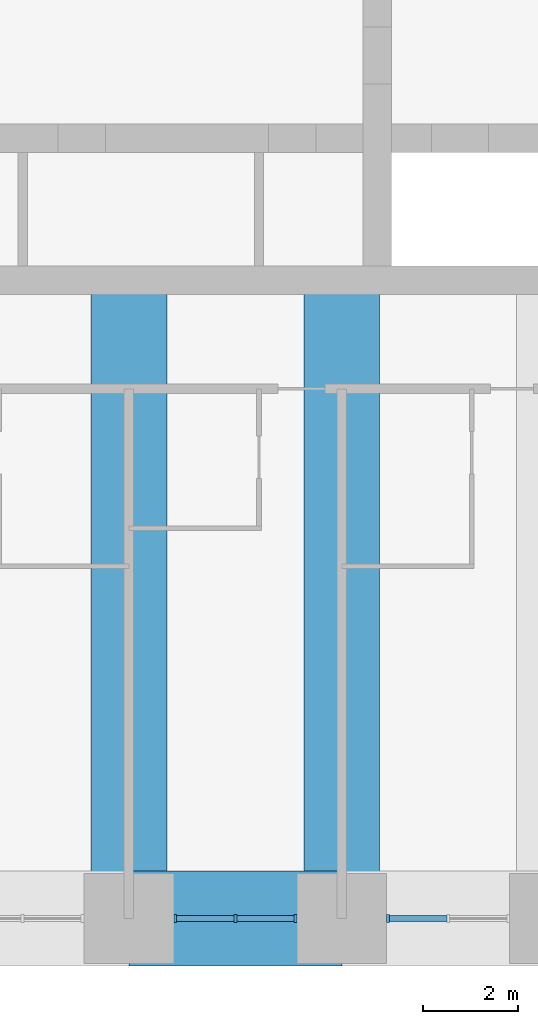
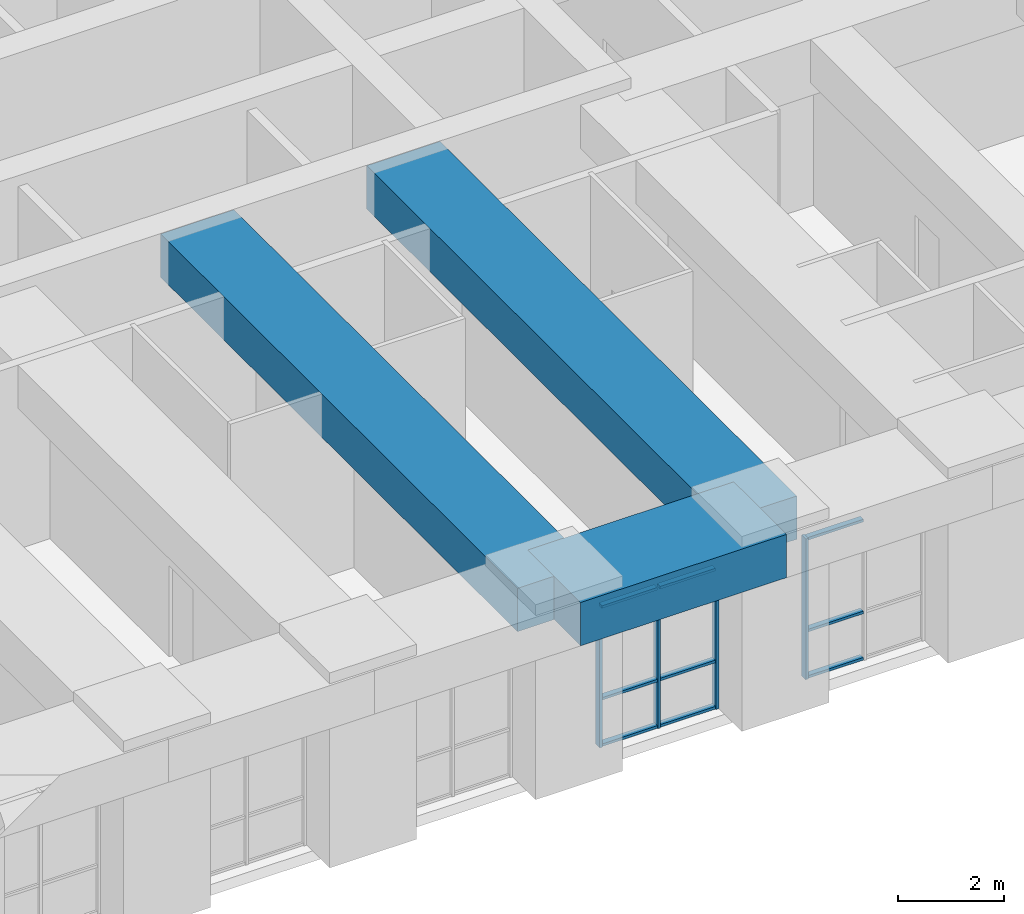
# One storey, part 3 of 16: 13 members, 3 beams, 2 elements without a shape of their own.
"""IFC4 building model written with IfcOpenShell, lengths in metres."""

from ifc_helpers import new_model, si_unit, direction, frame, origin, origin_2d, place, context, subcontext, project, spatial, rectangle, extrude, material, material_profile, profile_set, type_object, element, aggregate, save


model = new_model("IFC4")

# Units and contexts
model_context = context("Model", 3, precision=1e-05, world=origin(), true_north=direction((0.0, 1.0)))
body_context = subcontext(model_context, "Body", "Model", "MODEL_VIEW")
ifc_project = project(units=[si_unit("LENGTHUNIT", "METRE"), si_unit("AREAUNIT", "SQUARE_METRE"), si_unit("VOLUMEUNIT", "CUBIC_METRE"), si_unit("PLANEANGLEUNIT", "RADIAN"), si_unit("MASSUNIT", "GRAM", prefix="KILO")], contexts=[model_context])

# Site, building, storey
site_placement = place(None, origin())
site = spatial("IfcSite", under=ifc_project, at=site_placement, CompositionType="ELEMENT")
building_placement = place(site_placement, origin())
building = spatial("IfcBuilding", under=site, at=building_placement, Name="Kilele Tower Hotel", CompositionType="ELEMENT")
storey_placement = place(building_placement, frame((0.0, 0.0, 157.89990234375)))
storey = spatial("IfcBuildingStorey", under=building, at=storey_placement, Name="L40", CompositionType="ELEMENT", Elevation=157.89990234375)

# Beams
ifc_material_1 = material(Name="Concrete C60/75", Category="concrete")
ifc_material_profile_1 = material_profile(ifc_material_1, rectangle(XDim=1.60009765625, YDim=1.0, at=origin_2d()))
ifc_profile_set_1 = profile_set([ifc_material_profile_1], Name="Concrete C60/75")
beam_type_1 = type_object("IfcBeamType", Name="Beam RC 1600x1000 C60/75", PredefinedType="BEAM", material=ifc_profile_set_1)
for number, where, z_axis, x_axis, name in (
    (1, (27.0, 0.0, 3.75), (0.0, 1.0, 0.0), (-1.0, 0.0, 0.0), "Beam BC1 level L41"),
    (2, (31.5, 0.0, 3.75), (0.0, 1.0, 0.0), (-1.0, 0.0, 0.0), "Beam BC1 level L41"),
):
    element("IfcBeam", number, at=place(storey_placement, frame(where, z_axis=z_axis, x_axis=x_axis)), inside=storey, type_object=beam_type_1, Name=name, PredefinedType="BEAM", context=body_context, shape_type="SweptSolid", body=[
        extrude(rectangle(XDim=1.60009765625, YDim=1.0, at=origin_2d()), origin(), (0.0, 0.0, 1.0), 13.5),
    ])

# Curtain wall, members
ifc_material_2 = material(Name="Aluminium curtain wall, clear double glazing", Category="aluminium")
curtain_wall_type = type_object("IfcCurtainWallType", Name="Club lounge curtain wall CW-4", PredefinedType="NOTDEFINED", material=ifc_material_2)
curtain_wall_1_placement = place(storey_placement, origin())
curtain_wall_1 = element("IfcCurtainWall", 3, at=curtain_wall_1_placement, inside=storey, type_object=curtain_wall_type, Name="Club lounge curtain wall CW-4 L40", PredefinedType="NOTDEFINED")
ifc_material_3 = material(Name="Aluminium EN AW-6063 T6", Category="aluminium")
ifc_material_profile_2 = material_profile(ifc_material_3, rectangle(XDim=0.159912109375, YDim=0.06005859375, at=origin_2d()))
ifc_profile_set_2 = profile_set([ifc_material_profile_2], Name="Aluminium EN AW-6063 T6")
member_type_1 = type_object("IfcMemberType", Name="Mullion 60x160 CW-4", PredefinedType="MULLION", material=ifc_profile_set_2)
member_1_placement = place(storey_placement, frame((27.97998046875, 0.0, 0.0), z_axis=(0.0, 0.0, 1.0), x_axis=(0.0, 1.0, 0.0)))
member_1 = element("IfcMember", 4, at=member_1_placement, type_object=member_type_1, Name="CW-4 mullion 1", PredefinedType="MULLION", context=body_context, shape_type="SweptSolid", body=[
    extrude(rectangle(XDim=0.159912109375, YDim=0.06005859375, at=origin_2d()), origin(), (0.0, 0.0, 1.0), 3.25),
])
member_2_placement = place(storey_placement, frame((29.25, 0.0, 0.0), z_axis=(0.0, 0.0, 1.0), x_axis=(0.0, 1.0, 0.0)))
member_2 = element("IfcMember", 5, at=member_2_placement, type_object=member_type_1, Name="CW-4 mullion 2", PredefinedType="MULLION", context=body_context, shape_type="SweptSolid", body=[
    extrude(rectangle(XDim=0.159912109375, YDim=0.06005859375, at=origin_2d()), origin(), (0.0, 0.0, 1.0), 3.25),
])
member_3_placement = place(storey_placement, frame((30.52001953125, 0.0, 0.0), z_axis=(0.0, 0.0, 1.0), x_axis=(0.0, 1.0, 0.0)))
member_3 = element("IfcMember", 6, at=member_3_placement, type_object=member_type_1, Name="CW-4 mullion 3", PredefinedType="MULLION", context=body_context, shape_type="SweptSolid", body=[
    extrude(rectangle(XDim=0.159912109375, YDim=0.06005859375, at=origin_2d()), origin(), (0.0, 0.0, 1.0), 3.25),
])

# Curtain wall, member
curtain_wall_2_placement = place(storey_placement, origin())
curtain_wall_2 = element("IfcCurtainWall", 7, at=curtain_wall_2_placement, inside=storey, type_object=curtain_wall_type, Name="Club lounge curtain wall CW-4 L40", PredefinedType="NOTDEFINED")
member_4_placement = place(storey_placement, frame((32.47998046875, 0.0, 0.0), z_axis=(0.0, 0.0, 1.0), x_axis=(0.0, 1.0, 0.0)))
member_4 = element("IfcMember", 8, at=member_4_placement, type_object=member_type_1, Name="CW-4 mullion 1", PredefinedType="MULLION", context=body_context, shape_type="SweptSolid", body=[
    extrude(rectangle(XDim=0.159912109375, YDim=0.06005859375, at=origin_2d()), origin(), (0.0, 0.0, 1.0), 3.25),
])

# Beam
ifc_material_4 = material(Name="Concrete C60/75", Category="concrete")
ifc_material_profile_3 = material_profile(ifc_material_4, rectangle(XDim=2.0, YDim=1.0, at=origin_2d()))
ifc_profile_set_3 = profile_set([ifc_material_profile_3], Name="Concrete C60/75")
beam_type_2 = type_object("IfcBeamType", Name="Spandrel RC 2000x1000 C60/75", PredefinedType="SPANDREL", material=ifc_profile_set_3)
beam_placement = place(storey_placement, frame((27.0, 0.0, 3.75), z_axis=(1.0, 0.0, 0.0), x_axis=(0.0, 1.0, 0.0)))
element("IfcBeam", 9, at=beam_placement, inside=storey, type_object=beam_type_2, Name="Spandrel SP3 level L41", PredefinedType="SPANDREL", context=body_context, shape_type="SweptSolid", body=[
    extrude(rectangle(XDim=2.0, YDim=1.0, at=origin_2d()), origin(), (0.0, 0.0, 1.0), 4.5),
])

# Member
ifc_material_5 = material(Name="Aluminium EN AW-6063 T6", Category="aluminium")
ifc_material_profile_4 = material_profile(ifc_material_5, rectangle(XDim=0.1201171875, YDim=0.06005859375, at=origin_2d()))
ifc_profile_set_4 = profile_set([ifc_material_profile_4], Name="Aluminium EN AW-6063 T6")
member_type_2 = type_object("IfcMemberType", Name="Transom 60x120 CW-4", PredefinedType="USERDEFINED", material=ifc_profile_set_4)
member_5_placement = place(storey_placement, frame((28.010009765625, 0.0, 0.030029296875), z_axis=(1.0, 0.0, 0.0), x_axis=(0.0, 1.0, 0.0)))
member_5 = element("IfcMember", 10, at=member_5_placement, type_object=member_type_2, Name="CW-4 transom 1.1", ObjectType="TRANSOM", PredefinedType="USERDEFINED", context=body_context, shape_type="SweptSolid", body=[
    extrude(rectangle(XDim=0.1201171875, YDim=0.06005859375, at=origin_2d()), origin(), (0.0, 0.0, 1.0), 1.2099609375),
])

member_6_placement = place(storey_placement, frame((28.010009765625, 0.0, 1.10009765625), z_axis=(1.0, 0.0, 0.0), x_axis=(0.0, 1.0, 0.0)))
member_6 = element("IfcMember", 11, at=member_6_placement, type_object=member_type_2, Name="CW-4 transom 1.2", ObjectType="TRANSOM", PredefinedType="USERDEFINED", context=body_context, shape_type="SweptSolid", body=[
    extrude(rectangle(XDim=0.1201171875, YDim=0.06005859375, at=origin_2d()), origin(), (0.0, 0.0, 1.0), 1.2099609375),
])

member_7_placement = place(storey_placement, frame((28.010009765625, 0.0, 3.22021484375), z_axis=(1.0, 0.0, 0.0), x_axis=(0.0, 1.0, 0.0)))
member_7 = element("IfcMember", 12, at=member_7_placement, type_object=member_type_2, Name="CW-4 transom 1.3", ObjectType="TRANSOM", PredefinedType="USERDEFINED", context=body_context, shape_type="SweptSolid", body=[
    extrude(rectangle(XDim=0.1201171875, YDim=0.06005859375, at=origin_2d()), origin(), (0.0, 0.0, 1.0), 1.2099609375),
])

member_8_placement = place(storey_placement, frame((29.280029296875, 0.0, 0.030029296875), z_axis=(1.0, 0.0, 0.0), x_axis=(0.0, 1.0, 0.0)))
member_8 = element("IfcMember", 13, at=member_8_placement, type_object=member_type_2, Name="CW-4 transom 2.1", ObjectType="TRANSOM", PredefinedType="USERDEFINED", context=body_context, shape_type="SweptSolid", body=[
    extrude(rectangle(XDim=0.1201171875, YDim=0.06005859375, at=origin_2d()), origin(), (0.0, 0.0, 1.0), 1.2099609375),
])

member_9_placement = place(storey_placement, frame((29.280029296875, 0.0, 1.10009765625), z_axis=(1.0, 0.0, 0.0), x_axis=(0.0, 1.0, 0.0)))
member_9 = element("IfcMember", 14, at=member_9_placement, type_object=member_type_2, Name="CW-4 transom 2.2", ObjectType="TRANSOM", PredefinedType="USERDEFINED", context=body_context, shape_type="SweptSolid", body=[
    extrude(rectangle(XDim=0.1201171875, YDim=0.06005859375, at=origin_2d()), origin(), (0.0, 0.0, 1.0), 1.2099609375),
])

member_10_placement = place(storey_placement, frame((29.280029296875, 0.0, 3.22021484375), z_axis=(1.0, 0.0, 0.0), x_axis=(0.0, 1.0, 0.0)))
member_10 = element("IfcMember", 15, at=member_10_placement, type_object=member_type_2, Name="CW-4 transom 2.3", ObjectType="TRANSOM", PredefinedType="USERDEFINED", context=body_context, shape_type="SweptSolid", body=[
    extrude(rectangle(XDim=0.1201171875, YDim=0.06005859375, at=origin_2d()), origin(), (0.0, 0.0, 1.0), 1.2099609375),
])

aggregate(curtain_wall_1, [member_1, member_2, member_3, member_5, member_6, member_7, member_8, member_9, member_10])

member_11_placement = place(storey_placement, frame((32.510009765625, 0.0, 0.030029296875), z_axis=(1.0, 0.0, 0.0), x_axis=(0.0, 1.0, 0.0)))
member_11 = element("IfcMember", 16, at=member_11_placement, type_object=member_type_2, Name="CW-4 transom 1.1", ObjectType="TRANSOM", PredefinedType="USERDEFINED", context=body_context, shape_type="SweptSolid", body=[
    extrude(rectangle(XDim=0.1201171875, YDim=0.06005859375, at=origin_2d()), origin(), (0.0, 0.0, 1.0), 1.2099609375),
])

member_12_placement = place(storey_placement, frame((32.510009765625, 0.0, 1.10009765625), z_axis=(1.0, 0.0, 0.0), x_axis=(0.0, 1.0, 0.0)))
member_12 = element("IfcMember", 17, at=member_12_placement, type_object=member_type_2, Name="CW-4 transom 1.2", ObjectType="TRANSOM", PredefinedType="USERDEFINED", context=body_context, shape_type="SweptSolid", body=[
    extrude(rectangle(XDim=0.1201171875, YDim=0.06005859375, at=origin_2d()), origin(), (0.0, 0.0, 1.0), 1.2099609375),
])

member_13_placement = place(storey_placement, frame((32.510009765625, 0.0, 3.22021484375), z_axis=(1.0, 0.0, 0.0), x_axis=(0.0, 1.0, 0.0)))
member_13 = element("IfcMember", 18, at=member_13_placement, type_object=member_type_2, Name="CW-4 transom 1.3", ObjectType="TRANSOM", PredefinedType="USERDEFINED", context=body_context, shape_type="SweptSolid", body=[
    extrude(rectangle(XDim=0.1201171875, YDim=0.06005859375, at=origin_2d()), origin(), (0.0, 0.0, 1.0), 1.2099609375),
])

aggregate(curtain_wall_2, [member_4, member_11, member_12, member_13])

save(model, "model.ifc")
